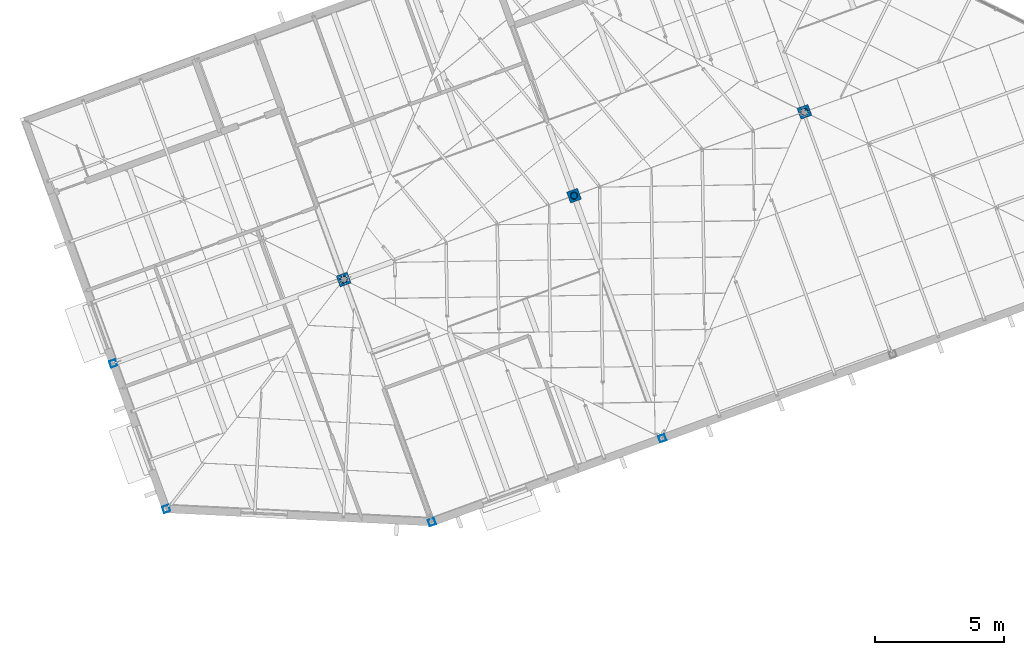
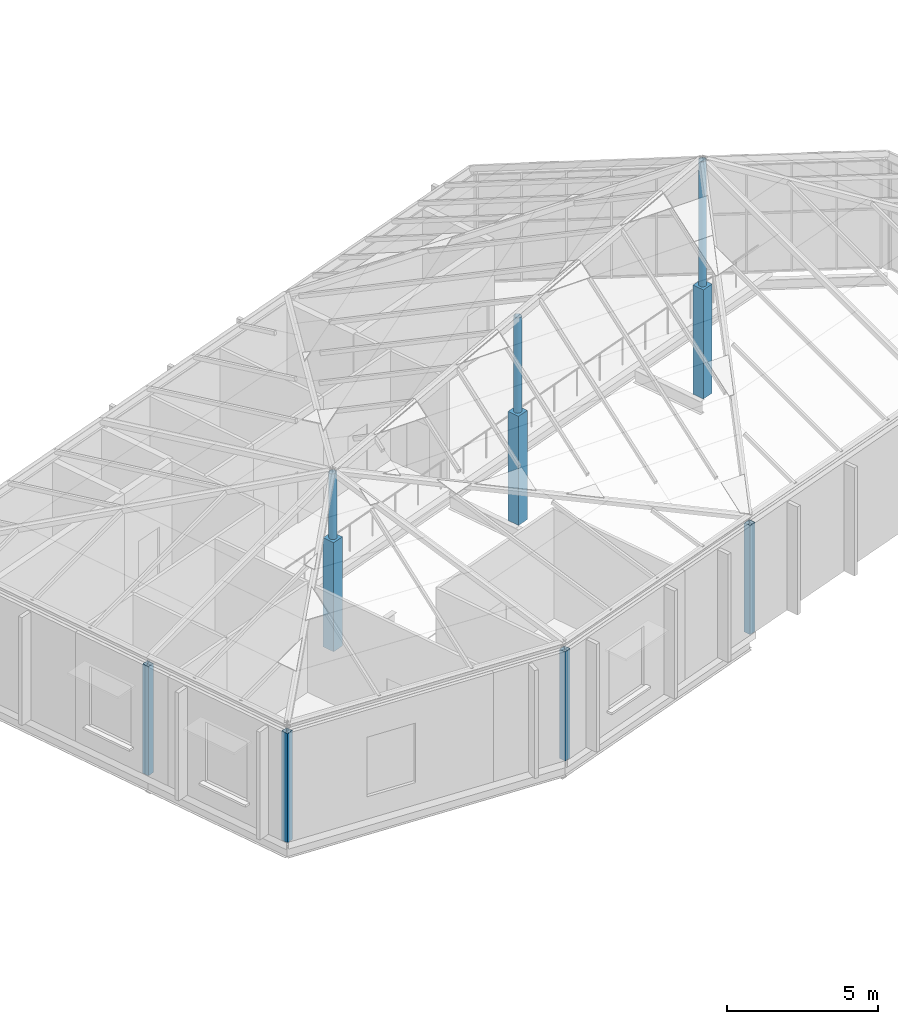
# One storey, part 6 of 95: 10 columns.
"""IFC4 building model written with IfcOpenShell, lengths in metres."""

from ifc_helpers import new_model, si_unit, direction, frame, origin, origin_2d, place, context, subcontext, project, spatial, rectangle, hollow_rectangle, hollow_circle, extrude, material, material_profile, profile_set, type_object, element, save


model = new_model("IFC4")

# Units and contexts
model_context = context("Model", 3, precision=1e-05, world=origin(), true_north=direction((0.0, 1.0)))
body_context = subcontext(model_context, "Body", "Model", "MODEL_VIEW")
ifc_project = project(units=[si_unit("LENGTHUNIT", "METRE"), si_unit("AREAUNIT", "SQUARE_METRE"), si_unit("VOLUMEUNIT", "CUBIC_METRE"), si_unit("PLANEANGLEUNIT", "RADIAN"), si_unit("MASSUNIT", "GRAM", prefix="KILO")], contexts=[model_context])

# Site, building, storey
site_placement = place(None, origin())
site = spatial("IfcSite", under=ifc_project, at=site_placement, CompositionType="ELEMENT")
building_placement = place(site_placement, origin())
building = spatial("IfcBuilding", under=site, at=building_placement, Name="Windward Yard Aquatics Centre", CompositionType="ELEMENT")
storey_placement = place(building_placement, frame((0.0, 0.0, 9.39990234375)))
storey = spatial("IfcBuildingStorey", under=building, at=storey_placement, Name="L02", CompositionType="ELEMENT", Elevation=9.39990234375)

# Columns
ifc_material_1 = material(Name="Steel S355", Category="steel")
ifc_material_profile_1 = material_profile(ifc_material_1, hollow_circle(Radius=0.136474609375, WallThickness=0.010009765625, at=origin_2d()), Name="CHS273x10")
ifc_profile_set_1 = profile_set([ifc_material_profile_1], Name="Steel S355")
column_type_1 = type_object("IfcColumnType", Name="F CHS273x10 column", PredefinedType="COLUMN", material=ifc_profile_set_1)
column_1_placement = place(storey_placement, frame((17.072998046875, 88.750732421875, 4.400146484375), z_axis=(0.0, 0.0, 1.0), x_axis=(1.0, 0.0, 0.0)))
element("IfcColumn", 1, at=column_1_placement, inside=storey, type_object=column_type_1, Name="F.RF.P.01", PredefinedType="COLUMN", context=body_context, shape_type="SweptSolid", body=[
    extrude(hollow_circle(Radius=0.136474609375, WallThickness=0.010009765625, at=origin_2d()), origin(), (0.0, 0.0, 1.0), 2.640380859375),
])
column_2_placement = place(storey_placement, frame((26.0, 92.0, 4.400146484375), z_axis=(0.0, 0.0, 1.0), x_axis=(1.0, 0.0, 0.0)))
element("IfcColumn", 2, at=column_2_placement, inside=storey, type_object=column_type_1, Name="F.RF.P.02", PredefinedType="COLUMN", context=body_context, shape_type="SweptSolid", body=[
    extrude(hollow_circle(Radius=0.136474609375, WallThickness=0.010009765625, at=origin_2d()), origin(), (0.0, 0.0, 1.0), 3.84033203125),
])
column_3_placement = place(storey_placement, frame((34.927001953125, 95.249267578125, 4.400146484375), z_axis=(0.0, 0.0, 1.0), x_axis=(1.0, 0.0, 0.0)))
element("IfcColumn", 3, at=column_3_placement, inside=storey, type_object=column_type_1, Name="F.RF.P.03", PredefinedType="COLUMN", context=body_context, shape_type="SweptSolid", body=[
    extrude(hollow_circle(Radius=0.136474609375, WallThickness=0.010009765625, at=origin_2d()), origin(), (0.0, 0.0, 1.0), 5.040283203125),
])
ifc_material_profile_2 = material_profile(ifc_material_1, hollow_rectangle(XDim=0.25390625, YDim=0.25390625, WallThickness=0.01171875, at=origin_2d()), Name="HSS254x254x12.7")
ifc_profile_set_2 = profile_set([ifc_material_profile_2], Name="Steel S355")
column_type_2 = type_object("IfcColumnType", Name="F HSS254x254x12.7 column", PredefinedType="COLUMN", material=ifc_profile_set_2)
for number, where, z_axis, x_axis, name in (
    (4, (10.197998046875, 79.863525390625, 0.0), (0.0, 0.0, 1.0), (0.939692620786, 0.342020143326, 0.0), "F.COL.L02.01"),
    (5, (20.4931640625, 79.35400390625, 0.0), (0.0, 0.0, 1.0), (0.939692620786, 0.342020143326, 0.0), "F.COL.L02.02"),
    (6, (29.420166015625, 82.60302734375, 0.0), (0.0, 0.0, 1.0), (0.939692620786, 0.342020143326, 0.0), "F.COL.L02.03"),
    (7, (8.145751953125, 85.501708984375, 0.0), (0.0, 0.0, 1.0), (0.939692620786, 0.342020143326, 0.0), "F.COL.L02.08"),
):
    element("IfcColumn", number, at=place(storey_placement, frame(where, z_axis=z_axis, x_axis=x_axis)), inside=storey, type_object=column_type_2, Name=name, PredefinedType="COLUMN", context=body_context, shape_type="SweptSolid", body=[
        extrude(hollow_rectangle(XDim=0.25390625, YDim=0.25390625, WallThickness=0.01171875, at=origin_2d()), origin(), (0.0, 0.0, 1.0), 4.400146484375),
    ])
ifc_material_2 = material(Name="Concrete C40/50", Category="concrete")
ifc_material_profile_3 = material_profile(ifc_material_2, rectangle(XDim=0.449951171875, YDim=0.449951171875, at=origin_2d()), Name="RC 450x450")
ifc_profile_set_3 = profile_set([ifc_material_profile_3], Name="Concrete C40/50")
column_type_3 = type_object("IfcColumnType", Name="F RC 450x450 column Concrete C40/50", PredefinedType="COLUMN", material=ifc_profile_set_3)
for number, where, z_axis, x_axis, name in (
    (8, (17.072998046875, 88.750732421875, 0.0), (0.0, 0.0, 1.0), (0.939692620786, 0.342020143326, 0.0), "F.COL.L02.09"),
    (9, (26.0, 92.0, 0.0), (0.0, 0.0, 1.0), (0.939692620786, 0.342020143326, 0.0), "F.COL.L02.10"),
    (10, (34.927001953125, 95.249267578125, 0.0), (0.0, 0.0, 1.0), (0.939692620786, 0.342020143326, 0.0), "F.COL.L02.11"),
):
    element("IfcColumn", number, at=place(storey_placement, frame(where, z_axis=z_axis, x_axis=x_axis)), inside=storey, type_object=column_type_3, Name=name, PredefinedType="COLUMN", context=body_context, shape_type="SweptSolid", body=[
        extrude(rectangle(XDim=0.449951171875, YDim=0.449951171875, at=origin_2d()), origin(), (0.0, 0.0, 1.0), 4.400146484375),
    ])

save(model, "model.ifc")
